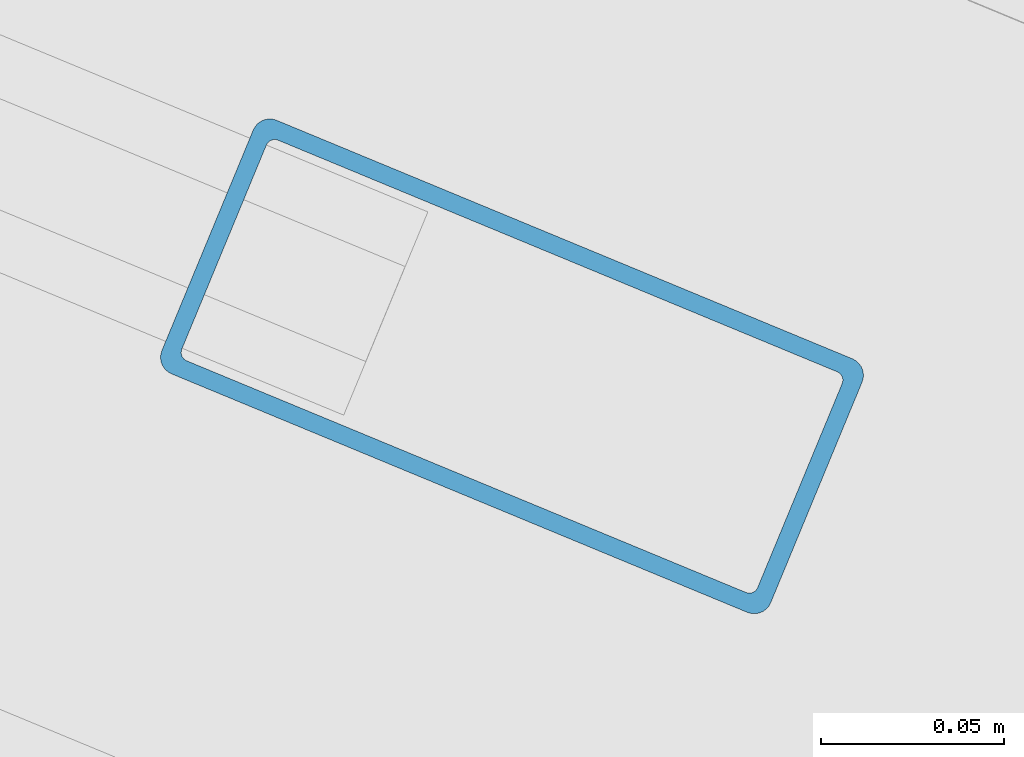
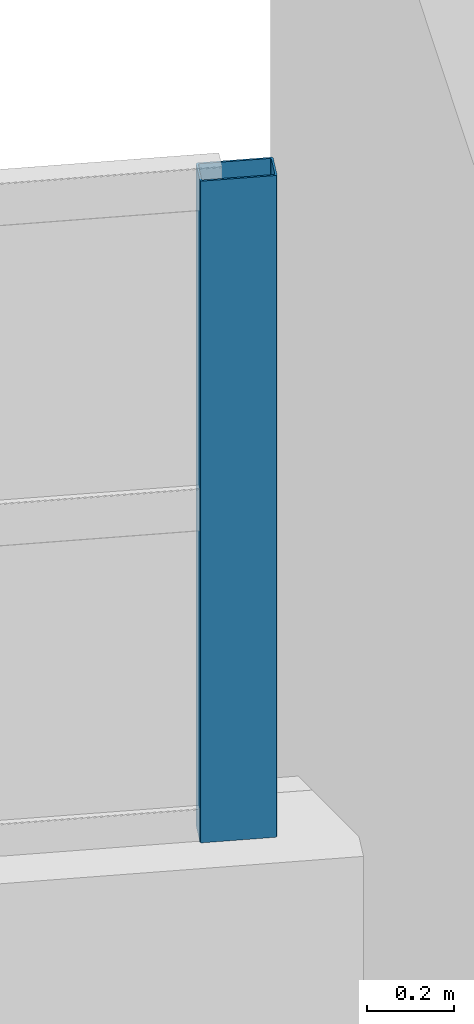
# One storey, part 62 of 121: 1 member, 1 element without a shape of its own.
"""IFC4 building model written with IfcOpenShell, lengths in metres."""

from ifc_helpers import new_model, si_unit, direction, frame, origin, origin_2d, place, context, subcontext, project, spatial, hollow_rectangle, extrude, material, layer, layer_set, material_profile, profile_set, type_object, element, aggregate, save


model = new_model("IFC4")

# Units and contexts
model_context = context("Model", 3, precision=1e-05, world=origin(), true_north=direction((0.0, 1.0)))
body_context = subcontext(model_context, "Body", "Model", "MODEL_VIEW")
ifc_project = project(units=[si_unit("LENGTHUNIT", "METRE"), si_unit("AREAUNIT", "SQUARE_METRE"), si_unit("VOLUMEUNIT", "CUBIC_METRE"), si_unit("PLANEANGLEUNIT", "RADIAN"), si_unit("MASSUNIT", "GRAM", prefix="KILO")], contexts=[model_context])

# Site, building, storey
site_placement = place(None, origin())
site = spatial("IfcSite", under=ifc_project, at=site_placement, CompositionType="ELEMENT")
building_placement = place(site_placement, origin())
building = spatial("IfcBuilding", under=site, at=building_placement, Name="Vespera Passage Community Centre", CompositionType="ELEMENT")
storey_placement = place(building_placement, frame((0.0, 0.0, 8.699951171875)))
storey = spatial("IfcBuildingStorey", under=building, at=storey_placement, Name="L02", CompositionType="ELEMENT", Elevation=8.699951171875)

# Curtain wall, member
ifc_material_1 = material(Name="Anodized aluminium 6063-T6", Category="aluminium")
ifc_layer = layer(ifc_material_1, 0.159912109375)
ifc_layer_set = layer_set([ifc_layer], Name="Anodized aluminium 6063-T6")
curtain_wall_type = type_object("IfcCurtainWallType", Name="CW-24E", PredefinedType="NOTDEFINED", material=ifc_layer_set)
curtain_wall_placement = place(storey_placement, origin())
curtain_wall = element("IfcCurtainWall", 1, at=curtain_wall_placement, inside=storey, type_object=curtain_wall_type, Name="V4 L02 Outer Ribbon Curtain Wall 4", PredefinedType="NOTDEFINED")
ifc_material_2 = material(Name="Anodized aluminium 6063-T6", Category="aluminium")
ifc_material_profile = material_profile(ifc_material_2, hollow_rectangle(XDim=0.074951171875, YDim=0.179931640625, WallThickness=0.0048828125, InnerFilletRadius=0.00244140625, OuterFilletRadius=0.0048828125, at=origin_2d()), Name="ALU180X75X5")
ifc_profile_set = profile_set([ifc_material_profile], Name="Anodized aluminium 6063-T6")
member_type = type_object("IfcMemberType", Name="MB-CWM-180E", PredefinedType="MULLION", material=ifc_profile_set)
member_placement = place(storey_placement, frame((100.441650390625, 105.67578125, 0.820068359375), z_axis=(0.0, 0.0, 1.0), x_axis=(0.382682936255, 0.923879738007, 0.0)))
member = element("IfcMember", 2, at=member_placement, type_object=member_type, Name="CW-24E mullion 5", PredefinedType="MULLION", context=body_context, shape_type="SweptSolid", body=[
    extrude(hollow_rectangle(XDim=0.074951171875, YDim=0.179931640625, WallThickness=0.0048828125, InnerFilletRadius=0.00244140625, OuterFilletRadius=0.0048828125, at=origin_2d()), origin(), (0.0, 0.0, 1.0), 1.865478515625),
])
aggregate(curtain_wall, [member])

save(model, "model.ifc")
